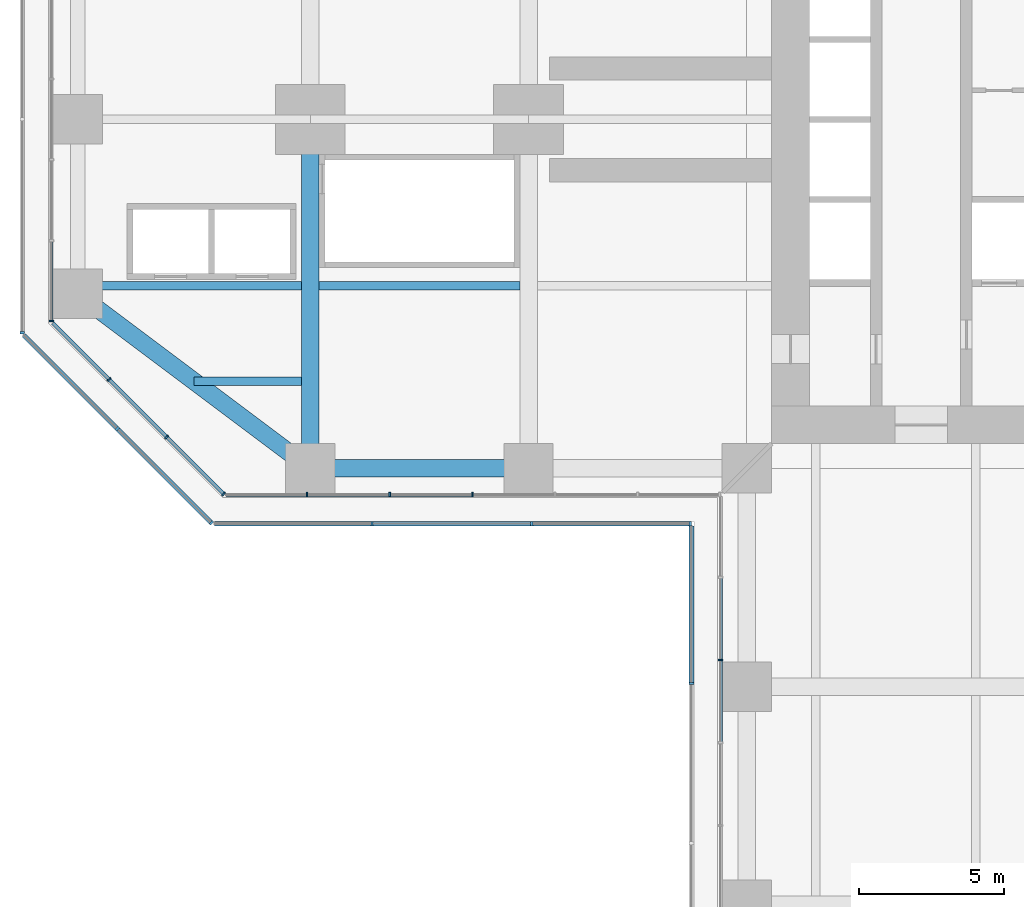
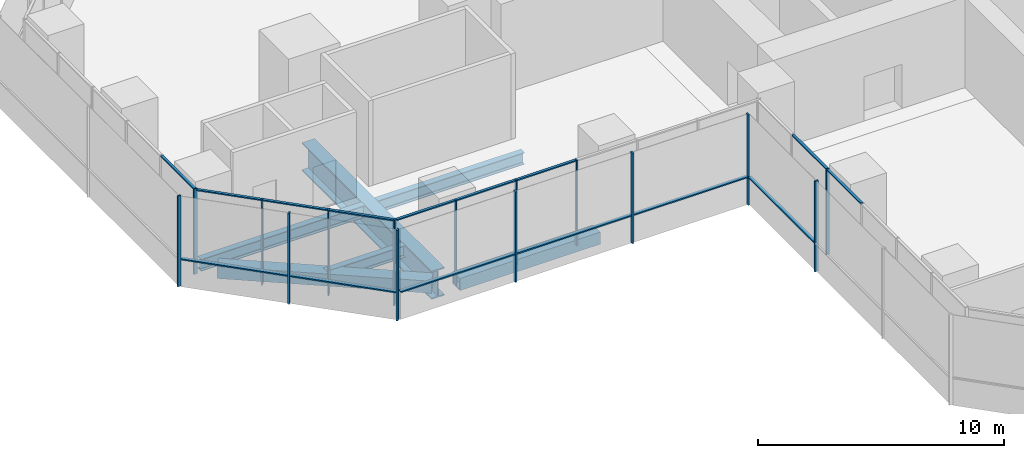
# One storey, part 3 of 21: 30 members, 6 beams, 8 elements without a shape of their own.
"""IFC4 building model written with IfcOpenShell, lengths in metres."""

from ifc_helpers import new_model, si_unit, direction, frame, origin, origin_2d, place, context, subcontext, project, spatial, rectangle, hollow_rectangle, i_section, extrude, material, material_profile, profile_set, type_object, element, aggregate, save


model = new_model("IFC4")

# Units and contexts
model_context = context("Model", 3, precision=1e-05, world=origin(), true_north=direction((0.0, 1.0)))
body_context = subcontext(model_context, "Body", "Model", "MODEL_VIEW")
ifc_project = project(units=[si_unit("LENGTHUNIT", "METRE"), si_unit("AREAUNIT", "SQUARE_METRE"), si_unit("VOLUMEUNIT", "CUBIC_METRE"), si_unit("PLANEANGLEUNIT", "RADIAN"), si_unit("MASSUNIT", "GRAM", prefix="KILO")], contexts=[model_context])

# Site, building, storey
site_placement = place(None, origin())
site = spatial("IfcSite", under=ifc_project, at=site_placement, CompositionType="ELEMENT")
building_placement = place(site_placement, origin())
building = spatial("IfcBuilding", under=site, at=building_placement, Name="Mizan Broadcast Tower", CompositionType="ELEMENT")
storey_placement = place(building_placement, frame((0.0, 0.0, 33.0)))
storey = spatial("IfcBuildingStorey", under=building, at=storey_placement, Name="L05", CompositionType="ELEMENT", Elevation=33.0)

# Beams
ifc_material_1 = material(Name="Steel S355", Category="steel")
ifc_material_profile_1 = material_profile(ifc_material_1, hollow_rectangle(XDim=0.60009765625, YDim=0.60009765625, WallThickness=0.030029296875, at=origin_2d()), Name="BOX 600x600x30")
ifc_profile_set_1 = profile_set([ifc_material_profile_1], Name="Steel S355")
beam_type_1 = type_object("IfcBeamType", Name="EDGE BEAM BOX 600x600x30", PredefinedType="SPANDREL", material=ifc_profile_set_1)
beam_1_placement = place(storey_placement, frame((-27.47998046875, -11.639892578125, -0.550048828125), z_axis=(-0.800013316712, 0.599982243973, 0.0), x_axis=(-0.599982243973, -0.800013316712, 0.0)))
element("IfcBeam", 1, at=beam_1_placement, inside=storey, type_object=beam_type_1, Name="Edge beam BOX 600x600x30 L05 west arm", PredefinedType="SPANDREL", context=body_context, shape_type="SweptSolid", body=[
    extrude(hollow_rectangle(XDim=0.60009765625, YDim=0.60009765625, WallThickness=0.030029296875, at=origin_2d()), origin(), (0.0, 0.0, 1.0), 8.7998046875),
])
ifc_material_2 = material(Name="Steel S355", Category="steel")
ifc_material_profile_2 = material_profile(ifc_material_2, hollow_rectangle(XDim=0.60009765625, YDim=0.60009765625, WallThickness=0.0400390625, at=origin_2d()), Name="BOX 600x600x40")
ifc_profile_set_2 = profile_set([ifc_material_profile_2], Name="Steel S355")
beam_type_2 = type_object("IfcBeamType", Name="EDGE BEAM BOX 600x600x40", PredefinedType="SPANDREL", material=ifc_profile_set_2)
beam_2_placement = place(storey_placement, frame((-19.949951171875, -12.0, -0.550048828125), z_axis=(-1.0, 0.0, 0.0), x_axis=(0.0, -1.0, 0.0)))
element("IfcBeam", 2, at=beam_2_placement, inside=storey, type_object=beam_type_2, Name="Edge beam BOX 600x600x40 L05 west arm", PredefinedType="SPANDREL", context=body_context, shape_type="SweptSolid", body=[
    extrude(hollow_rectangle(XDim=0.60009765625, YDim=0.60009765625, WallThickness=0.0400390625, at=origin_2d()), origin(), (0.0, 0.0, 1.0), 6.60009765625),
])
ifc_material_3 = material(Name="Steel S460", Category="steel")
ifc_material_profile_3 = material_profile(ifc_material_3, i_section(OverallWidth=0.60009765625, OverallDepth=1.39990234375, WebThickness=0.02490234375, FlangeThickness=0.06005859375, at=origin_2d()), Name="WPG 1400x600")
ifc_profile_set_3 = profile_set([ifc_material_profile_3], Name="Steel S460")
beam_type_3 = type_object("IfcBeamType", Name="GIRDER WPG 1400x600", PredefinedType="BEAM", material=ifc_profile_set_3)
beam_3_placement = place(storey_placement, frame((-27.0, -0.719970703125, -0.949951171875), z_axis=(0.0, -1.0, 0.0), x_axis=(1.0, 0.0, 0.0)))
element("IfcBeam", 3, at=beam_3_placement, inside=storey, type_object=beam_type_3, Name="Girder WPG 1400x600 L05 west arm", PredefinedType="BEAM", context=body_context, shape_type="SweptSolid", body=[
    extrude(i_section(OverallWidth=0.60009765625, OverallDepth=1.39990234375, WebThickness=0.02490234375, FlangeThickness=0.06005859375, at=origin_2d()), origin(), (0.0, 0.0, 1.0), 10.56005859375),
])

# Curtain wall, member
ifc_material_4 = material(Name="Aluminium framed glazing", Category="aluminium")
curtain_wall_type_1 = type_object("IfcCurtainWallType", Name="PODIUM CURTAIN WALL", PredefinedType="USERDEFINED", material=ifc_material_4)
curtain_wall_1_placement = place(storey_placement, origin())
curtain_wall_1 = element("IfcCurtainWall", 4, at=curtain_wall_1_placement, inside=storey, type_object=curtain_wall_type_1, Name="Podium curtain wall L05 W end", ObjectType="PODIUM CURTAIN WALL", PredefinedType="USERDEFINED")
ifc_material_5 = material(Name="Aluminium, pale anodised", Category="aluminium")
ifc_material_profile_4 = material_profile(ifc_material_5, rectangle(XDim=0.159912109375, YDim=0.06005859375, at=origin_2d()), Name="MULLION 160x60")
ifc_profile_set_4 = profile_set([ifc_material_profile_4], Name="Aluminium, pale anodised")
member_type_1 = type_object("IfcMemberType", Name="INNER SKIN MULLION 60x160", PredefinedType="MULLION", material=ifc_profile_set_4)
member_1_placement = place(storey_placement, frame((-35.89990234375, -6.928466796875, 0.0), z_axis=(0.0, 0.0, 1.0), x_axis=(1.0, 0.0, 0.0)))
member_1 = element("IfcMember", 5, at=member_1_placement, type_object=member_type_1, Name="Podium curtain wall L05 W end mullion 6", PredefinedType="MULLION", context=body_context, shape_type="SweptSolid", body=[
    extrude(rectangle(XDim=0.159912109375, YDim=0.06005859375, at=origin_2d()), origin(), (0.0, 0.0, 1.0), 4.25),
])

# Curtain wall, members
curtain_wall_2_placement = place(storey_placement, origin())
curtain_wall_2 = element("IfcCurtainWall", 6, at=curtain_wall_2_placement, inside=storey, type_object=curtain_wall_type_1, Name="Podium curtain wall L05 W chamfer", ObjectType="PODIUM CURTAIN WALL", PredefinedType="USERDEFINED")
member_2_placement = place(storey_placement, frame((-33.91943359375, -8.93896484375, 0.0), z_axis=(0.0, 0.0, 1.0), x_axis=(0.707106781187, 0.707106781187, 0.0)))
member_2 = element("IfcMember", 7, at=member_2_placement, type_object=member_type_1, Name="Podium curtain wall L05 W chamfer mullion 2", PredefinedType="MULLION", context=body_context, shape_type="SweptSolid", body=[
    extrude(rectangle(XDim=0.159912109375, YDim=0.06005859375, at=origin_2d()), origin(), (0.0, 0.0, 1.0), 4.25),
])
member_3_placement = place(storey_placement, frame((-31.93896484375, -10.91943359375, 0.0), z_axis=(0.0, 0.0, 1.0), x_axis=(0.707106781187, 0.707106781187, 0.0)))
member_3 = element("IfcMember", 8, at=member_3_placement, type_object=member_type_1, Name="Podium curtain wall L05 W chamfer mullion 3", PredefinedType="MULLION", context=body_context, shape_type="SweptSolid", body=[
    extrude(rectangle(XDim=0.159912109375, YDim=0.06005859375, at=origin_2d()), origin(), (0.0, 0.0, 1.0), 4.25),
])
member_4_placement = place(storey_placement, frame((-29.979736328125, -12.87890625, 0.0), z_axis=(0.0, 0.0, 1.0), x_axis=(0.707106781187, 0.707106781187, 0.0)))
member_4 = element("IfcMember", 9, at=member_4_placement, type_object=member_type_1, Name="Podium curtain wall L05 W chamfer mullion 4", PredefinedType="MULLION", context=body_context, shape_type="SweptSolid", body=[
    extrude(rectangle(XDim=0.159912109375, YDim=0.06005859375, at=origin_2d()), origin(), (0.0, 0.0, 1.0), 4.25),
])

curtain_wall_3_placement = place(storey_placement, origin())
curtain_wall_3 = element("IfcCurtainWall", 10, at=curtain_wall_3_placement, inside=storey, type_object=curtain_wall_type_1, Name="Podium curtain wall L05 W side", ObjectType="PODIUM CURTAIN WALL", PredefinedType="USERDEFINED")
member_5_placement = place(storey_placement, frame((-27.115478515625, -12.89990234375, 0.0), z_axis=(0.0, 0.0, 1.0), x_axis=(0.0, 1.0, 0.0)))
member_5 = element("IfcMember", 11, at=member_5_placement, type_object=member_type_1, Name="Podium curtain wall L05 W side mullion 2", PredefinedType="MULLION", context=body_context, shape_type="SweptSolid", body=[
    extrude(rectangle(XDim=0.159912109375, YDim=0.06005859375, at=origin_2d()), origin(), (0.0, 0.0, 1.0), 4.25),
])
member_6_placement = place(storey_placement, frame((-24.2724609375, -12.89990234375, 0.0), z_axis=(0.0, 0.0, 1.0), x_axis=(0.0, 1.0, 0.0)))
member_6 = element("IfcMember", 12, at=member_6_placement, type_object=member_type_1, Name="Podium curtain wall L05 W side mullion 3", PredefinedType="MULLION", context=body_context, shape_type="SweptSolid", body=[
    extrude(rectangle(XDim=0.159912109375, YDim=0.06005859375, at=origin_2d()), origin(), (0.0, 0.0, 1.0), 4.25),
])
member_7_placement = place(storey_placement, frame((-21.42919921875, -12.89990234375, 0.0), z_axis=(0.0, 0.0, 1.0), x_axis=(0.0, 1.0, 0.0)))
member_7 = element("IfcMember", 13, at=member_7_placement, type_object=member_type_1, Name="Podium curtain wall L05 W side mullion 4", PredefinedType="MULLION", context=body_context, shape_type="SweptSolid", body=[
    extrude(rectangle(XDim=0.159912109375, YDim=0.06005859375, at=origin_2d()), origin(), (0.0, 0.0, 1.0), 4.25),
])

# Curtain wall, member
curtain_wall_4_placement = place(storey_placement, origin())
curtain_wall_4 = element("IfcCurtainWall", 14, at=curtain_wall_4_placement, inside=storey, type_object=curtain_wall_type_1, Name="Podium curtain wall L05 S side", ObjectType="PODIUM CURTAIN WALL", PredefinedType="USERDEFINED")
member_8_placement = place(storey_placement, frame((-12.89990234375, -18.586181640625, 0.0), z_axis=(0.0, 0.0, 1.0), x_axis=(1.0, 0.0, 0.0)))
member_8 = element("IfcMember", 15, at=member_8_placement, type_object=member_type_1, Name="Podium curtain wall L05 S side mullion 3", PredefinedType="MULLION", context=body_context, shape_type="SweptSolid", body=[
    extrude(rectangle(XDim=0.159912109375, YDim=0.06005859375, at=origin_2d()), origin(), (0.0, 0.0, 1.0), 4.25),
])

# Member
ifc_material_6 = material(Name="Aluminium, pale anodised", Category="aluminium")
ifc_material_profile_5 = material_profile(ifc_material_6, rectangle(XDim=0.1201171875, YDim=0.06005859375, at=origin_2d()), Name="TRANSOM 120x60")
ifc_profile_set_5 = profile_set([ifc_material_profile_5], Name="Aluminium, pale anodised")
member_type_2 = type_object("IfcMemberType", Name="INNER SKIN TRANSOM 60x120", PredefinedType="USERDEFINED", material=ifc_profile_set_5)
member_9_placement = place(storey_placement, frame((-35.89990234375, -4.205078125, 4.219970703125), z_axis=(0.0, -1.0, 0.0), x_axis=(1.0, 0.0, 0.0)))
member_9 = element("IfcMember", 16, at=member_9_placement, type_object=member_type_2, Name="Podium curtain wall L05 W end transom 5.1", ObjectType="TRANSOM", PredefinedType="USERDEFINED", context=body_context, shape_type="SweptSolid", body=[
    extrude(rectangle(XDim=0.1201171875, YDim=0.06005859375, at=origin_2d()), origin(), (0.0, 0.0, 1.0), 2.693603515625),
])

aggregate(curtain_wall_1, [member_1, member_9])

member_10_placement = place(storey_placement, frame((-35.857666015625, -7.0009765625, 4.219970703125), z_axis=(0.707151809797, -0.707061749709, 0.0), x_axis=(0.707061749709, 0.707151809797, 0.0)))
member_10 = element("IfcMember", 17, at=member_10_placement, type_object=member_type_2, Name="Podium curtain wall L05 W chamfer transom 1.1", ObjectType="TRANSOM", PredefinedType="USERDEFINED", context=body_context, shape_type="SweptSolid", body=[
    extrude(rectangle(XDim=0.1201171875, YDim=0.06005859375, at=origin_2d()), origin(), (0.0, 0.0, 1.0), 2.7109375),
])

member_11_placement = place(storey_placement, frame((-33.898193359375, -8.960205078125, 4.219970703125), z_axis=(0.707106781187, -0.707106781187, 0.0), x_axis=(0.707106781187, 0.707106781187, 0.0)))
member_11 = element("IfcMember", 18, at=member_11_placement, type_object=member_type_2, Name="Podium curtain wall L05 W chamfer transom 2.1", ObjectType="TRANSOM", PredefinedType="USERDEFINED", context=body_context, shape_type="SweptSolid", body=[
    extrude(rectangle(XDim=0.1201171875, YDim=0.06005859375, at=origin_2d()), origin(), (0.0, 0.0, 1.0), 2.74072265625),
])

member_12_placement = place(storey_placement, frame((-31.917724609375, -10.940673828125, 4.219970703125), z_axis=(0.707061749709, -0.707151809797, 0.0), x_axis=(0.707151809797, 0.707061749709, 0.0)))
member_12 = element("IfcMember", 19, at=member_12_placement, type_object=member_type_2, Name="Podium curtain wall L05 W chamfer transom 3.1", ObjectType="TRANSOM", PredefinedType="USERDEFINED", context=body_context, shape_type="SweptSolid", body=[
    extrude(rectangle(XDim=0.1201171875, YDim=0.06005859375, at=origin_2d()), origin(), (0.0, 0.0, 1.0), 2.7109375),
])

aggregate(curtain_wall_2, [member_2, member_3, member_4, member_10, member_11, member_12])

member_13_placement = place(storey_placement, frame((-29.898681640625, -12.89990234375, 4.219970703125), z_axis=(1.0, 0.0, 0.0), x_axis=(0.0, 1.0, 0.0)))
member_13 = element("IfcMember", 20, at=member_13_placement, type_object=member_type_2, Name="Podium curtain wall L05 W side transom 1.1", ObjectType="TRANSOM", PredefinedType="USERDEFINED", context=body_context, shape_type="SweptSolid", body=[
    extrude(rectangle(XDim=0.1201171875, YDim=0.06005859375, at=origin_2d()), origin(), (0.0, 0.0, 1.0), 2.753173828125),
])

member_14_placement = place(storey_placement, frame((-27.08544921875, -12.89990234375, 4.219970703125), z_axis=(1.0, 0.0, 0.0), x_axis=(0.0, 1.0, 0.0)))
member_14 = element("IfcMember", 21, at=member_14_placement, type_object=member_type_2, Name="Podium curtain wall L05 W side transom 2.1", ObjectType="TRANSOM", PredefinedType="USERDEFINED", context=body_context, shape_type="SweptSolid", body=[
    extrude(rectangle(XDim=0.1201171875, YDim=0.06005859375, at=origin_2d()), origin(), (0.0, 0.0, 1.0), 2.782958984375),
])

member_15_placement = place(storey_placement, frame((-24.242431640625, -12.89990234375, 4.219970703125), z_axis=(1.0, 0.0, 0.0), x_axis=(0.0, 1.0, 0.0)))
member_15 = element("IfcMember", 22, at=member_15_placement, type_object=member_type_2, Name="Podium curtain wall L05 W side transom 3.1", ObjectType="TRANSOM", PredefinedType="USERDEFINED", context=body_context, shape_type="SweptSolid", body=[
    extrude(rectangle(XDim=0.1201171875, YDim=0.06005859375, at=origin_2d()), origin(), (0.0, 0.0, 1.0), 2.783203125),
])

aggregate(curtain_wall_3, [member_5, member_6, member_7, member_13, member_14, member_15])

member_16_placement = place(storey_placement, frame((-12.89990234375, -15.773193359375, 4.219970703125), z_axis=(0.0, -1.0, 0.0), x_axis=(1.0, 0.0, 0.0)))
member_16 = element("IfcMember", 23, at=member_16_placement, type_object=member_type_2, Name="Podium curtain wall L05 S side transom 2.1", ObjectType="TRANSOM", PredefinedType="USERDEFINED", context=body_context, shape_type="SweptSolid", body=[
    extrude(rectangle(XDim=0.1201171875, YDim=0.06005859375, at=origin_2d()), origin(), (0.0, 0.0, 1.0), 2.782958984375),
])

member_17_placement = place(storey_placement, frame((-12.89990234375, -18.6162109375, 4.219970703125), z_axis=(0.0, -1.0, 0.0), x_axis=(1.0, 0.0, 0.0)))
member_17 = element("IfcMember", 24, at=member_17_placement, type_object=member_type_2, Name="Podium curtain wall L05 S side transom 3.1", ObjectType="TRANSOM", PredefinedType="USERDEFINED", context=body_context, shape_type="SweptSolid", body=[
    extrude(rectangle(XDim=0.1201171875, YDim=0.06005859375, at=origin_2d()), origin(), (0.0, 0.0, 1.0), 2.782958984375),
])

aggregate(curtain_wall_4, [member_8, member_16, member_17])

# Curtain wall, member
ifc_material_7 = material(Name="Aluminium framed glazing", Category="aluminium")
curtain_wall_type_2 = type_object("IfcCurtainWallType", Name="OUTER SKIN", PredefinedType="USERDEFINED", material=ifc_material_7)
curtain_wall_5_placement = place(storey_placement, origin())
curtain_wall_5 = element("IfcCurtainWall", 25, at=curtain_wall_5_placement, inside=storey, type_object=curtain_wall_type_2, Name="Outer skin L05 W end", ObjectType="OUTER SKIN", PredefinedType="USERDEFINED")
ifc_material_8 = material(Name="Aluminium, pale anodised", Category="aluminium")
ifc_material_profile_6 = material_profile(ifc_material_8, rectangle(XDim=0.159912109375, YDim=0.080078125, at=origin_2d()), Name="MULLION 160x80")
ifc_profile_set_6 = profile_set([ifc_material_profile_6], Name="Aluminium, pale anodised")
member_type_3 = type_object("IfcMemberType", Name="OUTER SKIN MULLION 80x160", PredefinedType="MULLION", material=ifc_profile_set_6)
member_18_placement = place(storey_placement, frame((-36.89990234375, -7.332763671875, 0.0), z_axis=(0.0, 0.0, 1.0), x_axis=(1.0, 0.0, 0.0)))
member_18 = element("IfcMember", 26, at=member_18_placement, type_object=member_type_3, Name="Outer skin L05 W end mullion 3", PredefinedType="MULLION", context=body_context, shape_type="SweptSolid", body=[
    extrude(rectangle(XDim=0.159912109375, YDim=0.080078125, at=origin_2d()), origin(), (0.0, 0.0, 1.0), 4.5),
])
aggregate(curtain_wall_5, [member_18])

# Curtain wall, members
curtain_wall_6_placement = place(storey_placement, origin())
curtain_wall_6 = element("IfcCurtainWall", 27, at=curtain_wall_6_placement, inside=storey, type_object=curtain_wall_type_2, Name="Outer skin L05 W chamfer", ObjectType="OUTER SKIN", PredefinedType="USERDEFINED")
member_19_placement = place(storey_placement, frame((-33.636474609375, -10.636474609375, 0.0), z_axis=(0.0, 0.0, 1.0), x_axis=(0.707106781187, 0.707106781187, 0.0)))
member_19 = element("IfcMember", 28, at=member_19_placement, type_object=member_type_3, Name="Outer skin L05 W chamfer mullion 2", PredefinedType="MULLION", context=body_context, shape_type="SweptSolid", body=[
    extrude(rectangle(XDim=0.159912109375, YDim=0.080078125, at=origin_2d()), origin(), (0.0, 0.0, 1.0), 4.5),
])
member_20_placement = place(storey_placement, frame((-30.401123046875, -13.871826171875, 0.0), z_axis=(0.0, 0.0, 1.0), x_axis=(0.707106781187, 0.707106781187, 0.0)))
member_20 = element("IfcMember", 29, at=member_20_placement, type_object=member_type_3, Name="Outer skin L05 W chamfer mullion 3", PredefinedType="MULLION", context=body_context, shape_type="SweptSolid", body=[
    extrude(rectangle(XDim=0.159912109375, YDim=0.080078125, at=origin_2d()), origin(), (0.0, 0.0, 1.0), 4.5),
])

curtain_wall_7_placement = place(storey_placement, origin())
curtain_wall_7 = element("IfcCurtainWall", 30, at=curtain_wall_7_placement, inside=storey, type_object=curtain_wall_type_2, Name="Outer skin L05 W side", ObjectType="OUTER SKIN", PredefinedType="USERDEFINED")
member_21_placement = place(storey_placement, frame((-24.8818359375, -13.89990234375, 0.0), z_axis=(0.0, 0.0, 1.0), x_axis=(0.0, 1.0, 0.0)))
member_21 = element("IfcMember", 31, at=member_21_placement, type_object=member_type_3, Name="Outer skin L05 W side mullion 2", PredefinedType="MULLION", context=body_context, shape_type="SweptSolid", body=[
    extrude(rectangle(XDim=0.159912109375, YDim=0.080078125, at=origin_2d()), origin(), (0.0, 0.0, 1.0), 4.5),
])
member_22_placement = place(storey_placement, frame((-19.390869140625, -13.89990234375, 0.0), z_axis=(0.0, 0.0, 1.0), x_axis=(0.0, 1.0, 0.0)))
member_22 = element("IfcMember", 32, at=member_22_placement, type_object=member_type_3, Name="Outer skin L05 W side mullion 3", PredefinedType="MULLION", context=body_context, shape_type="SweptSolid", body=[
    extrude(rectangle(XDim=0.159912109375, YDim=0.080078125, at=origin_2d()), origin(), (0.0, 0.0, 1.0), 4.5),
])
member_23_placement = place(storey_placement, frame((-13.93994140625, -13.89990234375, 0.0), z_axis=(0.0, 0.0, 1.0), x_axis=(0.0, 1.0, 0.0)))
member_23 = element("IfcMember", 33, at=member_23_placement, type_object=member_type_3, Name="Outer skin L05 W side mullion 4", PredefinedType="MULLION", context=body_context, shape_type="SweptSolid", body=[
    extrude(rectangle(XDim=0.159912109375, YDim=0.080078125, at=origin_2d()), origin(), (0.0, 0.0, 1.0), 4.5),
])

# Curtain wall, member
curtain_wall_8_placement = place(storey_placement, origin())
curtain_wall_8 = element("IfcCurtainWall", 34, at=curtain_wall_8_placement, inside=storey, type_object=curtain_wall_type_2, Name="Outer skin L05 S side", ObjectType="OUTER SKIN", PredefinedType="USERDEFINED")
member_24_placement = place(storey_placement, frame((-13.89990234375, -19.390869140625, 0.0), z_axis=(0.0, 0.0, 1.0), x_axis=(1.0, 0.0, 0.0)))
member_24 = element("IfcMember", 35, at=member_24_placement, type_object=member_type_3, Name="Outer skin L05 S side mullion 2", PredefinedType="MULLION", context=body_context, shape_type="SweptSolid", body=[
    extrude(rectangle(XDim=0.159912109375, YDim=0.080078125, at=origin_2d()), origin(), (0.0, 0.0, 1.0), 4.5),
])

# Member
ifc_material_9 = material(Name="Aluminium, pale anodised", Category="aluminium")
ifc_material_profile_7 = material_profile(ifc_material_9, rectangle(XDim=0.159912109375, YDim=0.06005859375, at=origin_2d()), Name="TRANSOM 160x60")
ifc_profile_set_7 = profile_set([ifc_material_profile_7], Name="Aluminium, pale anodised")
member_type_4 = type_object("IfcMemberType", Name="OUTER SKIN TRANSOM 60x160", PredefinedType="USERDEFINED", material=ifc_profile_set_7)
member_25_placement = place(storey_placement, frame((-36.843505859375, -7.429443359375, 1.39990234375), z_axis=(0.707106781187, -0.707106781187, 0.0), x_axis=(0.707106781187, 0.707106781187, 0.0)))
member_25 = element("IfcMember", 36, at=member_25_placement, type_object=member_type_4, Name="Outer skin L05 W chamfer transom 1.1", ObjectType="TRANSOM", PredefinedType="USERDEFINED", context=body_context, shape_type="SweptSolid", body=[
    extrude(rectangle(XDim=0.159912109375, YDim=0.06005859375, at=origin_2d()), origin(), (0.0, 0.0, 1.0), 4.495361328125),
])

member_26_placement = place(storey_placement, frame((-33.608154296875, -10.664794921875, 1.39990234375), z_axis=(0.707106781187, -0.707106781187, 0.0), x_axis=(0.707106781187, 0.707106781187, 0.0)))
member_26 = element("IfcMember", 37, at=member_26_placement, type_object=member_type_4, Name="Outer skin L05 W chamfer transom 2.1", ObjectType="TRANSOM", PredefinedType="USERDEFINED", context=body_context, shape_type="SweptSolid", body=[
    extrude(rectangle(XDim=0.159912109375, YDim=0.06005859375, at=origin_2d()), origin(), (0.0, 0.0, 1.0), 4.495361328125),
])

aggregate(curtain_wall_6, [member_19, member_20, member_25, member_26])

member_27_placement = place(storey_placement, frame((-30.292724609375, -13.89990234375, 1.39990234375), z_axis=(1.0, 0.0, 0.0), x_axis=(0.0, 1.0, 0.0)))
member_27 = element("IfcMember", 38, at=member_27_placement, type_object=member_type_4, Name="Outer skin L05 W side transom 1.1", ObjectType="TRANSOM", PredefinedType="USERDEFINED", context=body_context, shape_type="SweptSolid", body=[
    extrude(rectangle(XDim=0.159912109375, YDim=0.06005859375, at=origin_2d()), origin(), (0.0, 0.0, 1.0), 5.370849609375),
])

member_28_placement = place(storey_placement, frame((-24.841796875, -13.89990234375, 1.39990234375), z_axis=(1.0, 0.0, 0.0), x_axis=(0.0, 1.0, 0.0)))
member_28 = element("IfcMember", 39, at=member_28_placement, type_object=member_type_4, Name="Outer skin L05 W side transom 2.1", ObjectType="TRANSOM", PredefinedType="USERDEFINED", context=body_context, shape_type="SweptSolid", body=[
    extrude(rectangle(XDim=0.159912109375, YDim=0.06005859375, at=origin_2d()), origin(), (0.0, 0.0, 1.0), 5.410888671875),
])

member_29_placement = place(storey_placement, frame((-19.350830078125, -13.89990234375, 1.39990234375), z_axis=(1.0, 0.0, 0.0), x_axis=(0.0, 1.0, 0.0)))
member_29 = element("IfcMember", 40, at=member_29_placement, type_object=member_type_4, Name="Outer skin L05 W side transom 3.1", ObjectType="TRANSOM", PredefinedType="USERDEFINED", context=body_context, shape_type="SweptSolid", body=[
    extrude(rectangle(XDim=0.159912109375, YDim=0.06005859375, at=origin_2d()), origin(), (0.0, 0.0, 1.0), 5.370849609375),
])

aggregate(curtain_wall_7, [member_21, member_22, member_23, member_27, member_28, member_29])

member_30_placement = place(storey_placement, frame((-13.89990234375, -13.97998046875, 1.39990234375), z_axis=(0.0, -1.0, 0.0), x_axis=(1.0, 0.0, 0.0)))
member_30 = element("IfcMember", 41, at=member_30_placement, type_object=member_type_4, Name="Outer skin L05 S side transom 1.1", ObjectType="TRANSOM", PredefinedType="USERDEFINED", context=body_context, shape_type="SweptSolid", body=[
    extrude(rectangle(XDim=0.159912109375, YDim=0.06005859375, at=origin_2d()), origin(), (0.0, 0.0, 1.0), 5.370849609375),
])

aggregate(curtain_wall_8, [member_24, member_30])

# Beams
ifc_material_10 = material(Name="Steel S355", Category="steel")
ifc_material_profile_8 = material_profile(ifc_material_10, i_section(OverallWidth=0.300048828125, OverallDepth=0.590087890625, WebThickness=0.012939453125, FlangeThickness=0.02490234375, FilletRadius=0.027099609375, at=origin_2d()), Name="HEA 600")
ifc_profile_set_8 = profile_set([ifc_material_profile_8], Name="Steel S355")
beam_type_4 = type_object("IfcBeamType", Name="SECONDARY BEAM HEA 600", PredefinedType="JOIST", material=ifc_profile_set_8)
beam_4_placement = place(storey_placement, frame((-19.800048828125, -5.71435546875, -0.544921875), z_axis=(-1.0, 0.0, 0.0), x_axis=(0.0, -1.0, 0.0)))
element("IfcBeam", 42, at=beam_4_placement, inside=storey, type_object=beam_type_4, Name="Secondary beam HEA 600 L05 west arm", PredefinedType="JOIST", context=body_context, shape_type="SweptSolid", body=[
    extrude(i_section(OverallWidth=0.300048828125, OverallDepth=0.590087890625, WebThickness=0.012939453125, FlangeThickness=0.02490234375, FilletRadius=0.027099609375, at=origin_2d()), origin(), (0.0, 0.0, 1.0), 6.89990234375),
])
beam_5_placement = place(storey_placement, frame((-27.300048828125, -5.71435546875, -0.544921875), z_axis=(-1.0, 0.0, 0.0), x_axis=(0.0, -1.0, 0.0)))
element("IfcBeam", 43, at=beam_5_placement, inside=storey, type_object=beam_type_4, Name="Secondary beam HEA 600 L05 west arm", PredefinedType="JOIST", context=body_context, shape_type="SweptSolid", body=[
    extrude(i_section(OverallWidth=0.300048828125, OverallDepth=0.590087890625, WebThickness=0.012939453125, FlangeThickness=0.02490234375, FilletRadius=0.027099609375, at=origin_2d()), origin(), (0.0, 0.0, 1.0), 7.699951171875),
])
beam_6_placement = place(storey_placement, frame((-27.300048828125, -9.0, -0.544921875), z_axis=(-1.0, 0.0, 0.0), x_axis=(0.0, -1.0, 0.0)))
element("IfcBeam", 44, at=beam_6_placement, inside=storey, type_object=beam_type_4, Name="Secondary beam HEA 600 L05 west arm", PredefinedType="JOIST", context=body_context, shape_type="SweptSolid", body=[
    extrude(i_section(OverallWidth=0.300048828125, OverallDepth=0.590087890625, WebThickness=0.012939453125, FlangeThickness=0.02490234375, FilletRadius=0.027099609375, at=origin_2d()), origin(), (0.0, 0.0, 1.0), 3.699951171875),
])

save(model, "model.ifc")
